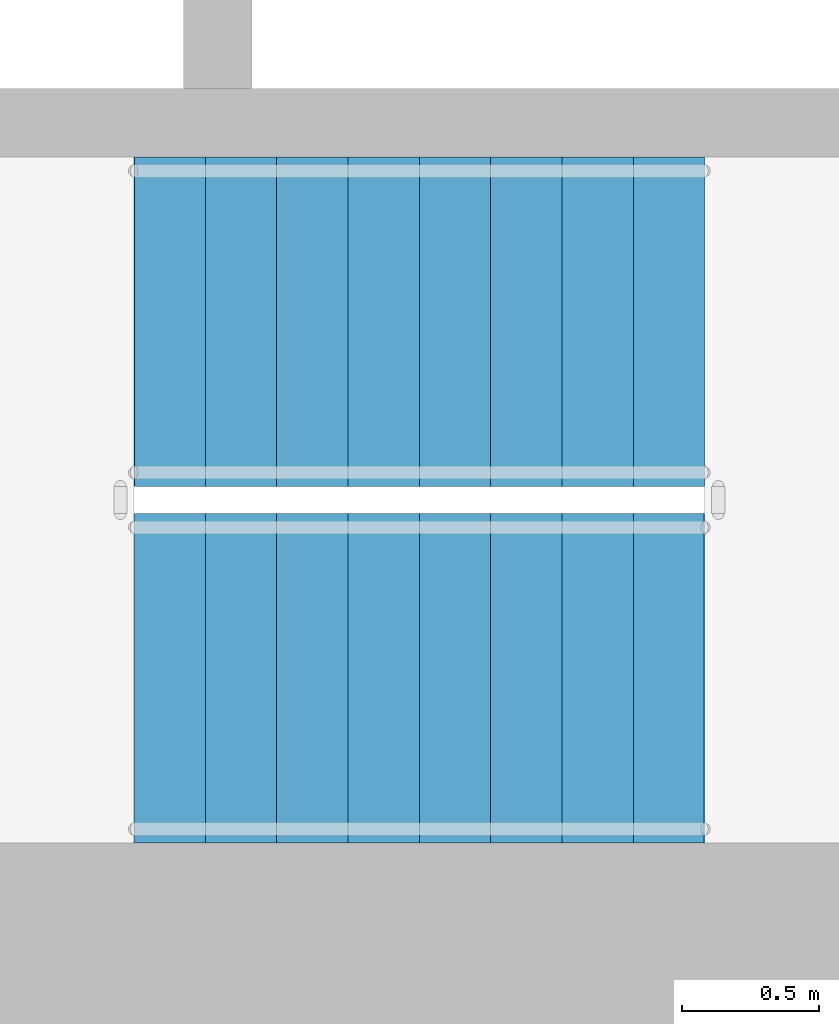
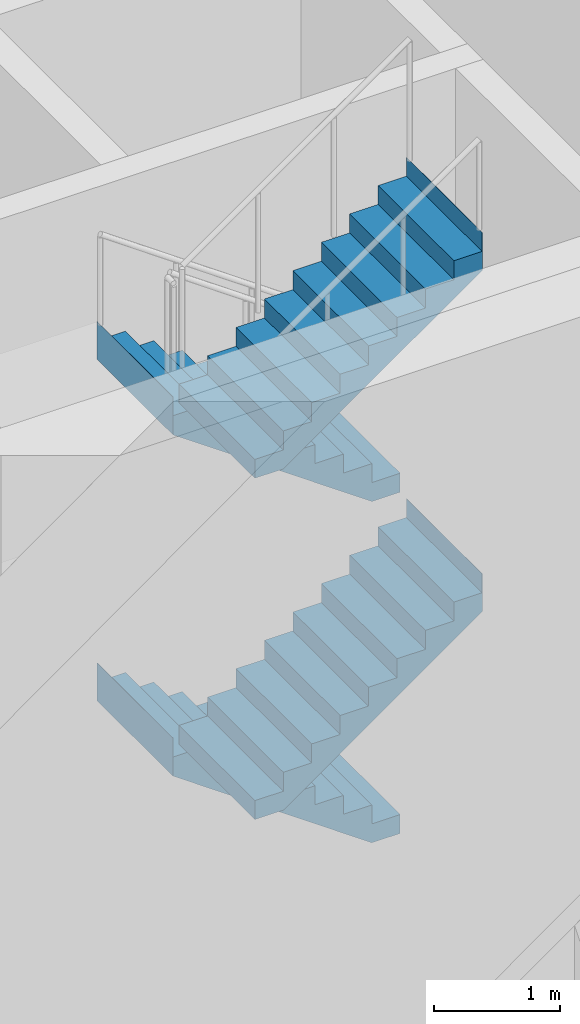
# One storey, part 29 of 33: 4 stair flights, 1 element without a shape of its own.
"""IFC4 building model written with IfcOpenShell, lengths in metres."""

import ifcopenshell
import ifcopenshell.guid

model = None  # the IFC model being written
_history = None  # IfcOwnerHistory: only IFC2X3 demands one
_inside = {}  # id of a spatial element -> (the spatial element, [elements in it])
_under = {}  # id of a project, library or spatial element -> (it, [spatial elements below it])
_declared = {}  # id of a project -> (the project, [libraries it declares])
_typed = {}  # id of a type object -> (the type object, [elements of that type])
_made_of = {}  # id of a material, layer set ... -> (it, [elements and type objects made of it])


def new_model(schema):
    """Start an empty IFC model of exactly this schema.

    Asked for "IFC4X3", IfcOpenShell would pick the latest addendum, in which some entities
    have other attributes; the version numbers below select the first issue.
    IFC2X3 requires an IfcOwnerHistory on every rooted entity: one is made here for all.
    """
    global model, _history
    if schema == "IFC4X3":
        model = ifcopenshell.file(schema_version=(4, 3, 0, 0))
    else:
        model = ifcopenshell.file(schema=schema)
    _inside.clear()
    _under.clear()
    _declared.clear()
    _typed.clear()
    _made_of.clear()
    _history = None
    if model.schema == "IFC2X3":
        org = make("IfcOrganization", Name="unknown")
        user = make(
            "IfcPersonAndOrganization",
            ThePerson=make("IfcPerson", FamilyName="unknown"),
            TheOrganization=org,
        )
        app = make(
            "IfcApplication",
            ApplicationDeveloper=org,
            Version="unknown",
            ApplicationFullName="unknown",
            ApplicationIdentifier="unknown",
        )
        _history = make(
            "IfcOwnerHistory",
            OwningUser=user,
            OwningApplication=app,
            ChangeAction="ADDED",
            CreationDate=0,
        )
    return model


def make(cls, **values):
    """One entity of the class cls with the attributes given. An attribute that is None is left unset."""
    return model.create_entity(
        cls, **{name: value for name, value in values.items() if value is not None}
    )


def rooted(cls, **values):
    """An entity with a GlobalId (a new one), such as an element, a storey or a relation."""
    return make(cls, GlobalId=ifcopenshell.guid.new(), OwnerHistory=_history, **values)


def si_unit(unit_type, name, prefix=None):
    """IfcSIUnit, for example si_unit("LENGTHUNIT", "METRE", prefix="MILLI")."""
    return make("IfcSIUnit", UnitType=unit_type, Prefix=prefix, Name=name)


def assignment(units):
    """IfcUnitAssignment: the units of a project."""
    return None if units is None else make("IfcUnitAssignment", Units=units)


def point(xyz):
    """IfcCartesianPoint."""
    return None if xyz is None else make("IfcCartesianPoint", Coordinates=xyz)


def direction(xyz):
    """IfcDirection."""
    return None if xyz is None else make("IfcDirection", DirectionRatios=xyz)


def frame(location, z_axis=None, x_axis=None):
    """IfcAxis2Placement3D, a coordinate frame: its origin and axes. An axis left out is left unset."""
    return make(
        "IfcAxis2Placement3D",
        Location=point(location),
        Axis=direction(z_axis),
        RefDirection=direction(x_axis),
    )


def origin():
    """The frame at (0, 0, 0) with its axes left unset."""
    return frame((0.0, 0.0, 0.0))


def place(relative_to, where):
    """IfcLocalPlacement: puts the frame where relative to a parent placement (None: the world)."""
    return make(
        "IfcLocalPlacement", PlacementRelTo=relative_to, RelativePlacement=where
    )


def context(
    kind, dimensions, precision=None, world=None, true_north=None, identifier=None
):
    """IfcGeometricRepresentationContext, for example the 3D "Model" context."""
    return make(
        "IfcGeometricRepresentationContext",
        ContextIdentifier=identifier,
        ContextType=kind,
        CoordinateSpaceDimension=dimensions,
        Precision=precision,
        WorldCoordinateSystem=world,
        TrueNorth=true_north,
    )


def subcontext(parent, identifier, kind, view, scale=None):
    """IfcGeometricRepresentationSubContext, for example "Body" below "Model"."""
    return make(
        "IfcGeometricRepresentationSubContext",
        ContextIdentifier=identifier,
        ContextType=kind,
        ParentContext=parent,
        TargetScale=scale,
        TargetView=view,
    )


def project(units=None, contexts=None):
    """IfcProject with its units and contexts."""
    return rooted(
        "IfcProject",
        Name="project",
        RepresentationContexts=contexts,
        UnitsInContext=assignment(units),
    )


def spatial(cls, under=None, at=None, **own):
    """A site, building, storey or space (cls), placed at a placement, below another one or the project."""
    s = rooted(cls, ObjectPlacement=at, **own)
    if under is not None:
        _under.setdefault(under.id(), (under, []))[1].append(s)
    return s


def point_list(points):
    """IfcCartesianPointList2D or 3D."""
    cls = (
        "IfcCartesianPointList2D" if len(points[0]) == 2 else "IfcCartesianPointList3D"
    )
    return make(cls, CoordList=points)


def triangles(points, corners, closed=None, point_numbers=None):
    """IfcTriangulatedFaceSet: each triangle names its three corners, points numbered from 1."""
    return make(
        "IfcTriangulatedFaceSet",
        Coordinates=point_list(points),
        Closed=closed,
        CoordIndex=corners,
        PnIndex=point_numbers,
    )


def shape(context_of_items, identifier, shape_type, items):
    """IfcShapeRepresentation: the items that make up one representation, for example the "Body"."""
    return make(
        "IfcShapeRepresentation",
        ContextOfItems=context_of_items,
        RepresentationIdentifier=identifier,
        RepresentationType=shape_type,
        Items=items,
    )


def material(Name=None, Category=None):
    """IfcMaterial."""
    return make("IfcMaterial", Name=Name, Category=Category)


def made_of(thing, what):
    """Note that an element or type object is made of a material, layer set ...; save() writes the relation."""
    if what is not None:
        _made_of.setdefault(what.id(), (what, []))[1].append(thing)
    return thing


def type_object(cls, material=None, **own):
    """A type object (cls), such as IfcWallType, which elements share."""
    return made_of(rooted(cls, **own), material)


def element(
    cls,
    number,
    at=None,
    inside=None,
    cuts=None,
    type_object=None,
    material=None,
    context=None,
    identifier="Body",
    shape_type=None,
    held_by="IfcProductDefinitionShape",
    body=None,
    shapes=None,
    **own,
):
    """One element of the class cls, such as IfcWall. Its Tag is "e" and its number.

    at: its placement. inside: the storey or other place that contains it. cuts: it is an
    opening in that element (IfcRelVoidsElement). A single representation is given by context,
    identifier, shape_type and body (its items); several are given by shapes. held_by: the class
    of the entity that holds the representations. save() writes the other relations.
    """
    e = rooted(cls, Tag="e%d" % number, ObjectPlacement=at, **own)
    if body is not None:
        shapes = [shape(context, identifier, shape_type, body)]
    if shapes is not None:
        e.Representation = make(held_by, Representations=shapes)
    if inside is not None:
        _inside.setdefault(inside.id(), (inside, []))[1].append(e)
    if cuts is not None:
        rooted(
            "IfcRelVoidsElement", RelatingBuildingElement=cuts, RelatedOpeningElement=e
        )
    if type_object is not None:
        _typed.setdefault(type_object.id(), (type_object, []))[1].append(e)
    return made_of(e, material)


def aggregate(whole, parts):
    """IfcRelAggregates: a whole, such as a stair, and the parts it consists of."""
    return rooted("IfcRelAggregates", RelatingObject=whole, RelatedObjects=parts)


def save(model, path):
    """Write the relations noted so far, then the file.

    IfcRelAggregates (storeys below a building ...), IfcRelContainedInSpatialStructure (elements
    in a storey), IfcRelDefinesByType, IfcRelAssociatesMaterial and IfcRelDeclares: one each for
    every whole, place, type object, material and project.
    """
    for whole, parts in _under.values():
        aggregate(whole, parts)
    for where, things in _inside.values():
        rooted(
            "IfcRelContainedInSpatialStructure",
            RelatedElements=things,
            RelatingStructure=where,
        )
    for kind, things in _typed.values():
        rooted("IfcRelDefinesByType", RelatedObjects=things, RelatingType=kind)
    for what, things in _made_of.values():
        rooted("IfcRelAssociatesMaterial", RelatedObjects=things, RelatingMaterial=what)
    for by, libraries in _declared.values():
        rooted("IfcRelDeclares", RelatingContext=by, RelatedDefinitions=libraries)
    model.write(path)


model = new_model("IFC4")

# Units and contexts
model_context = context("Model", 3, precision=1e-05, world=origin(), true_north=direction((0.0, 1.0)))
body_context = subcontext(model_context, "Body", "Model", "MODEL_VIEW")
ifc_project = project(units=[si_unit("LENGTHUNIT", "METRE"), si_unit("AREAUNIT", "SQUARE_METRE"), si_unit("VOLUMEUNIT", "CUBIC_METRE"), si_unit("PLANEANGLEUNIT", "RADIAN"), si_unit("MASSUNIT", "GRAM", prefix="KILO")], contexts=[model_context])

# Site, building, storey
site_placement = place(None, origin())
site = spatial("IfcSite", under=ifc_project, at=site_placement, CompositionType="ELEMENT")
building_placement = place(site_placement, origin())
building = spatial("IfcBuilding", under=site, at=building_placement, Name="Sahrelin Media Tower", CompositionType="ELEMENT")
storey_placement = place(building_placement, frame((0.0, 0.0, 37.39990234375)))
storey = spatial("IfcBuildingStorey", under=building, at=storey_placement, Name="L05", CompositionType="ELEMENT", Elevation=37.39990234375)

# Stair, stair flights
ifc_material = material(Name="Concrete C40/50", Category="concrete")
stair_type = type_object("IfcStairType", Name="Exit stair 1200", PredefinedType="HALF_TURN_STAIR", material=ifc_material)
stair_placement = place(storey_placement, origin())
stair = element("IfcStair", 1, at=stair_placement, inside=storey, type_object=stair_type, Name="L05 Exit stair ST2", PredefinedType="HALF_TURN_STAIR")
stair_flight_type = type_object("IfcStairFlightType", Name="Stair flight 1200", PredefinedType="STRAIGHT", material=ifc_material)
stair_flight_1_placement = place(storey_placement, frame((7.675048828125, -4.699951171875, 0.0), z_axis=(0.0, 0.0, 1.0), x_axis=(-1.0, 0.0, 0.0)))
stair_flight_1 = element("IfcStairFlight", 2, at=stair_flight_1_placement, type_object=stair_flight_type, Name="ST2 flight 1", NumberOfRisers=9, NumberOfTreads=8, PredefinedType="STRAIGHT", RiserHeight=0.183333333, TreadLength=0.26, context=body_context, shape_type="Tessellation", body=[
    triangles([(0.260009765625, 0.60009765625, 0.0), (0.260009765625, 0.300048828125, 0.0), (0.260009765625, 0.0, 0.0), (0.260009765625, -0.300048828125, 0.0), (0.260009765625, -0.60009765625, 0.0), (2.080078125, 0.60009765625, 1.283203125), (2.080078125, 0.300048828125, 1.283203125), (2.080078125, 0.0, 1.283203125), (2.080078125, -0.300048828125, 1.283203125), (2.080078125, -0.60009765625, 1.283203125), (2.080078125, 0.60009765625, 1.64990234375), (2.080078125, 0.300048828125, 1.64990234375), (2.080078125, 0.0, 1.64990234375), (2.080078125, -0.300048828125, 1.64990234375), (2.080078125, -0.60009765625, 1.64990234375), (2.077880859375, 0.60009765625, 1.64990234375), (2.077880859375, 0.300048828125, 1.64990234375), (2.077880859375, 0.0, 1.64990234375), (2.077880859375, -0.300048828125, 1.64990234375), (2.077880859375, -0.60009765625, 1.64990234375), (2.077880859375, 0.60009765625, 1.466552734375), (2.077880859375, 0.300048828125, 1.466552734375), (2.077880859375, 0.0, 1.466552734375), (2.077880859375, -0.300048828125, 1.466552734375), (2.077880859375, -0.60009765625, 1.466552734375), (1.820068359375, 0.60009765625, 1.466552734375), (1.820068359375, 0.300048828125, 1.466552734375), (1.820068359375, 0.0, 1.466552734375), (1.820068359375, -0.300048828125, 1.466552734375), (1.820068359375, -0.60009765625, 1.466552734375), (1.820068359375, 0.60009765625, 1.283447265625), (1.820068359375, 0.300048828125, 1.283447265625), (1.820068359375, 0.0, 1.283447265625), (1.820068359375, -0.300048828125, 1.283447265625), (1.820068359375, -0.60009765625, 1.283447265625), (1.56005859375, 0.60009765625, 1.283447265625), (1.56005859375, 0.300048828125, 1.283447265625), (1.56005859375, 0.0, 1.283447265625), (1.56005859375, -0.300048828125, 1.283447265625), (1.56005859375, -0.60009765625, 1.283447265625), (1.56005859375, 0.60009765625, 1.10009765625), (1.56005859375, 0.300048828125, 1.10009765625), (1.56005859375, 0.0, 1.10009765625), (1.56005859375, -0.300048828125, 1.10009765625), (1.56005859375, -0.60009765625, 1.10009765625), (1.300048828125, 0.60009765625, 1.10009765625), (1.300048828125, 0.300048828125, 1.10009765625), (1.300048828125, 0.0, 1.10009765625), (1.300048828125, -0.300048828125, 1.10009765625), (1.300048828125, -0.60009765625, 1.10009765625), (1.300048828125, 0.60009765625, 0.916748046875), (1.300048828125, 0.300048828125, 0.916748046875), (1.300048828125, 0.0, 0.916748046875), (1.300048828125, -0.300048828125, 0.916748046875), (1.300048828125, -0.60009765625, 0.916748046875), (1.0400390625, 0.60009765625, 0.916748046875), (1.0400390625, 0.300048828125, 0.916748046875), (1.0400390625, 0.0, 0.916748046875), (1.0400390625, -0.300048828125, 0.916748046875), (1.0400390625, -0.60009765625, 0.916748046875), (1.0400390625, 0.60009765625, 0.7333984375), (1.0400390625, 0.300048828125, 0.7333984375), (1.0400390625, 0.0, 0.7333984375), (1.0400390625, -0.300048828125, 0.7333984375), (1.0400390625, -0.60009765625, 0.7333984375), (0.780029296875, 0.60009765625, 0.7333984375), (0.780029296875, 0.300048828125, 0.7333984375), (0.780029296875, 0.0, 0.7333984375), (0.780029296875, -0.300048828125, 0.7333984375), (0.780029296875, -0.60009765625, 0.7333984375), (0.780029296875, 0.60009765625, 0.550048828125), (0.780029296875, 0.300048828125, 0.550048828125), (0.780029296875, 0.0, 0.550048828125), (0.780029296875, -0.300048828125, 0.550048828125), (0.780029296875, -0.60009765625, 0.550048828125), (0.52001953125, 0.60009765625, 0.550048828125), (0.52001953125, 0.300048828125, 0.550048828125), (0.52001953125, 0.0, 0.550048828125), (0.52001953125, -0.300048828125, 0.550048828125), (0.52001953125, -0.60009765625, 0.550048828125), (0.52001953125, 0.60009765625, 0.36669921875), (0.52001953125, 0.300048828125, 0.36669921875), (0.52001953125, 0.0, 0.36669921875), (0.52001953125, -0.300048828125, 0.36669921875), (0.52001953125, -0.60009765625, 0.36669921875), (0.260009765625, 0.60009765625, 0.36669921875), (0.260009765625, 0.300048828125, 0.36669921875), (0.260009765625, 0.0, 0.36669921875), (0.260009765625, -0.300048828125, 0.36669921875), (0.260009765625, -0.60009765625, 0.36669921875), (0.260009765625, 0.60009765625, 0.183349609375), (0.260009765625, 0.300048828125, 0.183349609375), (0.260009765625, 0.0, 0.183349609375), (0.260009765625, -0.300048828125, 0.183349609375), (0.260009765625, -0.60009765625, 0.183349609375), (0.0, 0.60009765625, 0.183349609375), (0.0, 0.300048828125, 0.183349609375), (0.0, 0.0, 0.183349609375), (0.0, -0.300048828125, 0.183349609375), (0.0, -0.60009765625, 0.183349609375), (0.0, 0.60009765625, 0.0), (0.0, 0.300048828125, 0.0), (0.0, 0.0, 0.0), (0.0, -0.300048828125, 0.0), (0.0, -0.60009765625, 0.0)], [[1, 6, 7], [1, 7, 2], [2, 7, 8], [2, 8, 3], [3, 8, 9], [3, 9, 4], [4, 9, 10], [4, 10, 5], [6, 11, 12], [6, 12, 7], [7, 12, 13], [7, 13, 8], [8, 13, 14], [8, 14, 9], [9, 14, 15], [9, 15, 10], [11, 16, 17], [11, 17, 12], [12, 17, 18], [12, 18, 13], [13, 18, 19], [13, 19, 14], [14, 19, 20], [14, 20, 15], [16, 21, 22], [16, 22, 17], [17, 22, 23], [17, 23, 18], [18, 23, 24], [18, 24, 19], [19, 24, 25], [19, 25, 20], [21, 26, 27], [21, 27, 22], [22, 27, 28], [22, 28, 23], [23, 28, 29], [23, 29, 24], [24, 29, 30], [24, 30, 25], [26, 31, 32], [26, 32, 27], [27, 32, 33], [27, 33, 28], [28, 33, 34], [28, 34, 29], [29, 34, 35], [29, 35, 30], [31, 36, 37], [31, 37, 32], [32, 37, 38], [32, 38, 33], [33, 38, 39], [33, 39, 34], [34, 39, 40], [34, 40, 35], [36, 41, 42], [36, 42, 37], [37, 42, 43], [37, 43, 38], [38, 43, 44], [38, 44, 39], [39, 44, 45], [39, 45, 40], [41, 46, 47], [41, 47, 42], [42, 47, 48], [42, 48, 43], [43, 48, 49], [43, 49, 44], [44, 49, 50], [44, 50, 45], [46, 51, 52], [46, 52, 47], [47, 52, 53], [47, 53, 48], [48, 53, 54], [48, 54, 49], [49, 54, 55], [49, 55, 50], [51, 56, 57], [51, 57, 52], [52, 57, 58], [52, 58, 53], [53, 58, 59], [53, 59, 54], [54, 59, 60], [54, 60, 55], [56, 61, 62], [56, 62, 57], [57, 62, 63], [57, 63, 58], [58, 63, 64], [58, 64, 59], [59, 64, 65], [59, 65, 60], [61, 66, 67], [61, 67, 62], [62, 67, 68], [62, 68, 63], [63, 68, 69], [63, 69, 64], [64, 69, 70], [64, 70, 65], [66, 71, 72], [66, 72, 67], [67, 72, 73], [67, 73, 68], [68, 73, 74], [68, 74, 69], [69, 74, 75], [69, 75, 70], [71, 76, 77], [71, 77, 72], [72, 77, 78], [72, 78, 73], [73, 78, 79], [73, 79, 74], [74, 79, 80], [74, 80, 75], [76, 81, 82], [76, 82, 77], [77, 82, 83], [77, 83, 78], [78, 83, 84], [78, 84, 79], [79, 84, 85], [79, 85, 80], [81, 86, 87], [81, 87, 82], [82, 87, 88], [82, 88, 83], [83, 88, 89], [83, 89, 84], [84, 89, 90], [84, 90, 85], [86, 91, 92], [86, 92, 87], [87, 92, 93], [87, 93, 88], [88, 93, 94], [88, 94, 89], [89, 94, 95], [89, 95, 90], [91, 96, 97], [91, 97, 92], [92, 97, 98], [92, 98, 93], [93, 98, 99], [93, 99, 94], [94, 99, 100], [94, 100, 95], [96, 101, 102], [96, 102, 97], [97, 102, 103], [97, 103, 98], [98, 103, 104], [98, 104, 99], [99, 104, 105], [99, 105, 100], [101, 1, 2], [101, 2, 102], [102, 2, 3], [102, 3, 103], [103, 3, 4], [103, 4, 104], [104, 4, 5], [104, 5, 105], [95, 100, 105], [91, 101, 96], [95, 85, 90], [91, 86, 81], [85, 75, 80], [81, 76, 71], [75, 65, 70], [71, 66, 61], [65, 55, 60], [61, 56, 51], [55, 45, 50], [51, 46, 41], [45, 35, 40], [41, 36, 31], [35, 25, 30], [31, 26, 21], [25, 15, 20], [21, 16, 11], [105, 5, 95], [101, 91, 1], [25, 10, 15], [21, 11, 6], [85, 95, 5], [81, 1, 91], [35, 10, 25], [31, 21, 6], [75, 85, 5], [71, 1, 81], [45, 10, 35], [41, 31, 6], [65, 75, 5], [61, 1, 71], [55, 10, 45], [51, 41, 6], [5, 10, 65], [1, 61, 6], [65, 10, 55], [61, 51, 6]], closed=True),
])
stair_flight_2_placement = place(storey_placement, frame((5.594970703125, -6.0, 1.650146484375), z_axis=(0.0, 0.0, 1.0), x_axis=(1.0, 0.0, 0.0)))
stair_flight_2 = element("IfcStairFlight", 3, at=stair_flight_2_placement, type_object=stair_flight_type, Name="ST2 flight 2", NumberOfRisers=9, NumberOfTreads=8, PredefinedType="STRAIGHT", RiserHeight=0.183333333, TreadLength=0.26, context=body_context, shape_type="Tessellation", body=[
    triangles([(0.260009765625, 0.60009765625, 0.0), (0.260009765625, 0.300048828125, 0.0), (0.260009765625, 0.0, 0.0), (0.260009765625, -0.300048828125, 0.0), (0.260009765625, -0.60009765625, 0.0), (2.080078125, 0.60009765625, 1.283203125), (2.080078125, 0.300048828125, 1.283203125), (2.080078125, 0.0, 1.283203125), (2.080078125, -0.300048828125, 1.283203125), (2.080078125, -0.60009765625, 1.283203125), (2.080078125, 0.60009765625, 1.64990234375), (2.080078125, 0.300048828125, 1.64990234375), (2.080078125, 0.0, 1.64990234375), (2.080078125, -0.300048828125, 1.64990234375), (2.080078125, -0.60009765625, 1.64990234375), (2.077880859375, 0.60009765625, 1.64990234375), (2.077880859375, 0.300048828125, 1.64990234375), (2.077880859375, 0.0, 1.64990234375), (2.077880859375, -0.300048828125, 1.64990234375), (2.077880859375, -0.60009765625, 1.64990234375), (2.077880859375, 0.60009765625, 1.466552734375), (2.077880859375, 0.300048828125, 1.466552734375), (2.077880859375, 0.0, 1.466552734375), (2.077880859375, -0.300048828125, 1.466552734375), (2.077880859375, -0.60009765625, 1.466552734375), (1.820068359375, 0.60009765625, 1.466552734375), (1.820068359375, 0.300048828125, 1.466552734375), (1.820068359375, 0.0, 1.466552734375), (1.820068359375, -0.300048828125, 1.466552734375), (1.820068359375, -0.60009765625, 1.466552734375), (1.820068359375, 0.60009765625, 1.283447265625), (1.820068359375, 0.300048828125, 1.283447265625), (1.820068359375, 0.0, 1.283447265625), (1.820068359375, -0.300048828125, 1.283447265625), (1.820068359375, -0.60009765625, 1.283447265625), (1.56005859375, 0.60009765625, 1.283447265625), (1.56005859375, 0.300048828125, 1.283447265625), (1.56005859375, 0.0, 1.283447265625), (1.56005859375, -0.300048828125, 1.283447265625), (1.56005859375, -0.60009765625, 1.283447265625), (1.56005859375, 0.60009765625, 1.10009765625), (1.56005859375, 0.300048828125, 1.10009765625), (1.56005859375, 0.0, 1.10009765625), (1.56005859375, -0.300048828125, 1.10009765625), (1.56005859375, -0.60009765625, 1.10009765625), (1.300048828125, 0.60009765625, 1.10009765625), (1.300048828125, 0.300048828125, 1.10009765625), (1.300048828125, 0.0, 1.10009765625), (1.300048828125, -0.300048828125, 1.10009765625), (1.300048828125, -0.60009765625, 1.10009765625), (1.300048828125, 0.60009765625, 0.916748046875), (1.300048828125, 0.300048828125, 0.916748046875), (1.300048828125, 0.0, 0.916748046875), (1.300048828125, -0.300048828125, 0.916748046875), (1.300048828125, -0.60009765625, 0.916748046875), (1.0400390625, 0.60009765625, 0.916748046875), (1.0400390625, 0.300048828125, 0.916748046875), (1.0400390625, 0.0, 0.916748046875), (1.0400390625, -0.300048828125, 0.916748046875), (1.0400390625, -0.60009765625, 0.916748046875), (1.0400390625, 0.60009765625, 0.7333984375), (1.0400390625, 0.300048828125, 0.7333984375), (1.0400390625, 0.0, 0.7333984375), (1.0400390625, -0.300048828125, 0.7333984375), (1.0400390625, -0.60009765625, 0.7333984375), (0.780029296875, 0.60009765625, 0.7333984375), (0.780029296875, 0.300048828125, 0.7333984375), (0.780029296875, 0.0, 0.7333984375), (0.780029296875, -0.300048828125, 0.7333984375), (0.780029296875, -0.60009765625, 0.7333984375), (0.780029296875, 0.60009765625, 0.550048828125), (0.780029296875, 0.300048828125, 0.550048828125), (0.780029296875, 0.0, 0.550048828125), (0.780029296875, -0.300048828125, 0.550048828125), (0.780029296875, -0.60009765625, 0.550048828125), (0.52001953125, 0.60009765625, 0.550048828125), (0.52001953125, 0.300048828125, 0.550048828125), (0.52001953125, 0.0, 0.550048828125), (0.52001953125, -0.300048828125, 0.550048828125), (0.52001953125, -0.60009765625, 0.550048828125), (0.52001953125, 0.60009765625, 0.36669921875), (0.52001953125, 0.300048828125, 0.36669921875), (0.52001953125, 0.0, 0.36669921875), (0.52001953125, -0.300048828125, 0.36669921875), (0.52001953125, -0.60009765625, 0.36669921875), (0.260009765625, 0.60009765625, 0.36669921875), (0.260009765625, 0.300048828125, 0.36669921875), (0.260009765625, 0.0, 0.36669921875), (0.260009765625, -0.300048828125, 0.36669921875), (0.260009765625, -0.60009765625, 0.36669921875), (0.260009765625, 0.60009765625, 0.183349609375), (0.260009765625, 0.300048828125, 0.183349609375), (0.260009765625, 0.0, 0.183349609375), (0.260009765625, -0.300048828125, 0.183349609375), (0.260009765625, -0.60009765625, 0.183349609375), (0.0, 0.60009765625, 0.183349609375), (0.0, 0.300048828125, 0.183349609375), (0.0, 0.0, 0.183349609375), (0.0, -0.300048828125, 0.183349609375), (0.0, -0.60009765625, 0.183349609375), (0.0, 0.60009765625, 0.0), (0.0, 0.300048828125, 0.0), (0.0, 0.0, 0.0), (0.0, -0.300048828125, 0.0), (0.0, -0.60009765625, 0.0)], [[1, 6, 7], [1, 7, 2], [2, 7, 8], [2, 8, 3], [3, 8, 9], [3, 9, 4], [4, 9, 10], [4, 10, 5], [6, 11, 12], [6, 12, 7], [7, 12, 13], [7, 13, 8], [8, 13, 14], [8, 14, 9], [9, 14, 15], [9, 15, 10], [11, 16, 17], [11, 17, 12], [12, 17, 18], [12, 18, 13], [13, 18, 19], [13, 19, 14], [14, 19, 20], [14, 20, 15], [16, 21, 22], [16, 22, 17], [17, 22, 23], [17, 23, 18], [18, 23, 24], [18, 24, 19], [19, 24, 25], [19, 25, 20], [21, 26, 27], [21, 27, 22], [22, 27, 28], [22, 28, 23], [23, 28, 29], [23, 29, 24], [24, 29, 30], [24, 30, 25], [26, 31, 32], [26, 32, 27], [27, 32, 33], [27, 33, 28], [28, 33, 34], [28, 34, 29], [29, 34, 35], [29, 35, 30], [31, 36, 37], [31, 37, 32], [32, 37, 38], [32, 38, 33], [33, 38, 39], [33, 39, 34], [34, 39, 40], [34, 40, 35], [36, 41, 42], [36, 42, 37], [37, 42, 43], [37, 43, 38], [38, 43, 44], [38, 44, 39], [39, 44, 45], [39, 45, 40], [41, 46, 47], [41, 47, 42], [42, 47, 48], [42, 48, 43], [43, 48, 49], [43, 49, 44], [44, 49, 50], [44, 50, 45], [46, 51, 52], [46, 52, 47], [47, 52, 53], [47, 53, 48], [48, 53, 54], [48, 54, 49], [49, 54, 55], [49, 55, 50], [51, 56, 57], [51, 57, 52], [52, 57, 58], [52, 58, 53], [53, 58, 59], [53, 59, 54], [54, 59, 60], [54, 60, 55], [56, 61, 62], [56, 62, 57], [57, 62, 63], [57, 63, 58], [58, 63, 64], [58, 64, 59], [59, 64, 65], [59, 65, 60], [61, 66, 67], [61, 67, 62], [62, 67, 68], [62, 68, 63], [63, 68, 69], [63, 69, 64], [64, 69, 70], [64, 70, 65], [66, 71, 72], [66, 72, 67], [67, 72, 73], [67, 73, 68], [68, 73, 74], [68, 74, 69], [69, 74, 75], [69, 75, 70], [71, 76, 77], [71, 77, 72], [72, 77, 78], [72, 78, 73], [73, 78, 79], [73, 79, 74], [74, 79, 80], [74, 80, 75], [76, 81, 82], [76, 82, 77], [77, 82, 83], [77, 83, 78], [78, 83, 84], [78, 84, 79], [79, 84, 85], [79, 85, 80], [81, 86, 87], [81, 87, 82], [82, 87, 88], [82, 88, 83], [83, 88, 89], [83, 89, 84], [84, 89, 90], [84, 90, 85], [86, 91, 92], [86, 92, 87], [87, 92, 93], [87, 93, 88], [88, 93, 94], [88, 94, 89], [89, 94, 95], [89, 95, 90], [91, 96, 97], [91, 97, 92], [92, 97, 98], [92, 98, 93], [93, 98, 99], [93, 99, 94], [94, 99, 100], [94, 100, 95], [96, 101, 102], [96, 102, 97], [97, 102, 103], [97, 103, 98], [98, 103, 104], [98, 104, 99], [99, 104, 105], [99, 105, 100], [101, 1, 2], [101, 2, 102], [102, 2, 3], [102, 3, 103], [103, 3, 4], [103, 4, 104], [104, 4, 5], [104, 5, 105], [95, 100, 105], [91, 101, 96], [95, 85, 90], [91, 86, 81], [85, 75, 80], [81, 76, 71], [75, 65, 70], [71, 66, 61], [65, 55, 60], [61, 56, 51], [55, 45, 50], [51, 46, 41], [45, 35, 40], [41, 36, 31], [35, 25, 30], [31, 26, 21], [25, 15, 20], [21, 16, 11], [105, 5, 95], [101, 91, 1], [25, 10, 15], [21, 11, 6], [85, 95, 5], [81, 1, 91], [35, 10, 25], [31, 21, 6], [75, 85, 5], [71, 1, 81], [45, 10, 35], [41, 31, 6], [65, 75, 5], [61, 1, 71], [55, 10, 45], [51, 41, 6], [5, 10, 65], [1, 61, 6], [65, 10, 55], [61, 51, 6]], closed=True),
])
stair_flight_3_placement = place(storey_placement, frame((7.675048828125, -4.699951171875, 3.300048828125), z_axis=(0.0, 0.0, 1.0), x_axis=(-1.0, 0.0, 0.0)))
stair_flight_3 = element("IfcStairFlight", 4, at=stair_flight_3_placement, type_object=stair_flight_type, Name="ST2 flight 3", NumberOfRisers=9, NumberOfTreads=8, PredefinedType="STRAIGHT", RiserHeight=0.183333333, TreadLength=0.26, context=body_context, shape_type="Tessellation", body=[
    triangles([(0.260009765625, 0.60009765625, 0.0), (0.260009765625, 0.300048828125, 0.0), (0.260009765625, 0.0, 0.0), (0.260009765625, -0.300048828125, 0.0), (0.260009765625, -0.60009765625, 0.0), (2.080078125, 0.60009765625, 1.283203125), (2.080078125, 0.300048828125, 1.283203125), (2.080078125, 0.0, 1.283203125), (2.080078125, -0.300048828125, 1.283203125), (2.080078125, -0.60009765625, 1.283203125), (2.080078125, 0.60009765625, 1.64990234375), (2.080078125, 0.300048828125, 1.64990234375), (2.080078125, 0.0, 1.64990234375), (2.080078125, -0.300048828125, 1.64990234375), (2.080078125, -0.60009765625, 1.64990234375), (2.077880859375, 0.60009765625, 1.64990234375), (2.077880859375, 0.300048828125, 1.64990234375), (2.077880859375, 0.0, 1.64990234375), (2.077880859375, -0.300048828125, 1.64990234375), (2.077880859375, -0.60009765625, 1.64990234375), (2.077880859375, 0.60009765625, 1.466552734375), (2.077880859375, 0.300048828125, 1.466552734375), (2.077880859375, 0.0, 1.466552734375), (2.077880859375, -0.300048828125, 1.466552734375), (2.077880859375, -0.60009765625, 1.466552734375), (1.820068359375, 0.60009765625, 1.466552734375), (1.820068359375, 0.300048828125, 1.466552734375), (1.820068359375, 0.0, 1.466552734375), (1.820068359375, -0.300048828125, 1.466552734375), (1.820068359375, -0.60009765625, 1.466552734375), (1.820068359375, 0.60009765625, 1.283447265625), (1.820068359375, 0.300048828125, 1.283447265625), (1.820068359375, 0.0, 1.283447265625), (1.820068359375, -0.300048828125, 1.283447265625), (1.820068359375, -0.60009765625, 1.283447265625), (1.56005859375, 0.60009765625, 1.283447265625), (1.56005859375, 0.300048828125, 1.283447265625), (1.56005859375, 0.0, 1.283447265625), (1.56005859375, -0.300048828125, 1.283447265625), (1.56005859375, -0.60009765625, 1.283447265625), (1.56005859375, 0.60009765625, 1.10009765625), (1.56005859375, 0.300048828125, 1.10009765625), (1.56005859375, 0.0, 1.10009765625), (1.56005859375, -0.300048828125, 1.10009765625), (1.56005859375, -0.60009765625, 1.10009765625), (1.300048828125, 0.60009765625, 1.10009765625), (1.300048828125, 0.300048828125, 1.10009765625), (1.300048828125, 0.0, 1.10009765625), (1.300048828125, -0.300048828125, 1.10009765625), (1.300048828125, -0.60009765625, 1.10009765625), (1.300048828125, 0.60009765625, 0.916748046875), (1.300048828125, 0.300048828125, 0.916748046875), (1.300048828125, 0.0, 0.916748046875), (1.300048828125, -0.300048828125, 0.916748046875), (1.300048828125, -0.60009765625, 0.916748046875), (1.0400390625, 0.60009765625, 0.916748046875), (1.0400390625, 0.300048828125, 0.916748046875), (1.0400390625, 0.0, 0.916748046875), (1.0400390625, -0.300048828125, 0.916748046875), (1.0400390625, -0.60009765625, 0.916748046875), (1.0400390625, 0.60009765625, 0.7333984375), (1.0400390625, 0.300048828125, 0.7333984375), (1.0400390625, 0.0, 0.7333984375), (1.0400390625, -0.300048828125, 0.7333984375), (1.0400390625, -0.60009765625, 0.7333984375), (0.780029296875, 0.60009765625, 0.7333984375), (0.780029296875, 0.300048828125, 0.7333984375), (0.780029296875, 0.0, 0.7333984375), (0.780029296875, -0.300048828125, 0.7333984375), (0.780029296875, -0.60009765625, 0.7333984375), (0.780029296875, 0.60009765625, 0.550048828125), (0.780029296875, 0.300048828125, 0.550048828125), (0.780029296875, 0.0, 0.550048828125), (0.780029296875, -0.300048828125, 0.550048828125), (0.780029296875, -0.60009765625, 0.550048828125), (0.52001953125, 0.60009765625, 0.550048828125), (0.52001953125, 0.300048828125, 0.550048828125), (0.52001953125, 0.0, 0.550048828125), (0.52001953125, -0.300048828125, 0.550048828125), (0.52001953125, -0.60009765625, 0.550048828125), (0.52001953125, 0.60009765625, 0.36669921875), (0.52001953125, 0.300048828125, 0.36669921875), (0.52001953125, 0.0, 0.36669921875), (0.52001953125, -0.300048828125, 0.36669921875), (0.52001953125, -0.60009765625, 0.36669921875), (0.260009765625, 0.60009765625, 0.36669921875), (0.260009765625, 0.300048828125, 0.36669921875), (0.260009765625, 0.0, 0.36669921875), (0.260009765625, -0.300048828125, 0.36669921875), (0.260009765625, -0.60009765625, 0.36669921875), (0.260009765625, 0.60009765625, 0.183349609375), (0.260009765625, 0.300048828125, 0.183349609375), (0.260009765625, 0.0, 0.183349609375), (0.260009765625, -0.300048828125, 0.183349609375), (0.260009765625, -0.60009765625, 0.183349609375), (0.0, 0.60009765625, 0.183349609375), (0.0, 0.300048828125, 0.183349609375), (0.0, 0.0, 0.183349609375), (0.0, -0.300048828125, 0.183349609375), (0.0, -0.60009765625, 0.183349609375), (0.0, 0.60009765625, 0.0), (0.0, 0.300048828125, 0.0), (0.0, 0.0, 0.0), (0.0, -0.300048828125, 0.0), (0.0, -0.60009765625, 0.0)], [[1, 6, 7], [1, 7, 2], [2, 7, 8], [2, 8, 3], [3, 8, 9], [3, 9, 4], [4, 9, 10], [4, 10, 5], [6, 11, 12], [6, 12, 7], [7, 12, 13], [7, 13, 8], [8, 13, 14], [8, 14, 9], [9, 14, 15], [9, 15, 10], [11, 16, 17], [11, 17, 12], [12, 17, 18], [12, 18, 13], [13, 18, 19], [13, 19, 14], [14, 19, 20], [14, 20, 15], [16, 21, 22], [16, 22, 17], [17, 22, 23], [17, 23, 18], [18, 23, 24], [18, 24, 19], [19, 24, 25], [19, 25, 20], [21, 26, 27], [21, 27, 22], [22, 27, 28], [22, 28, 23], [23, 28, 29], [23, 29, 24], [24, 29, 30], [24, 30, 25], [26, 31, 32], [26, 32, 27], [27, 32, 33], [27, 33, 28], [28, 33, 34], [28, 34, 29], [29, 34, 35], [29, 35, 30], [31, 36, 37], [31, 37, 32], [32, 37, 38], [32, 38, 33], [33, 38, 39], [33, 39, 34], [34, 39, 40], [34, 40, 35], [36, 41, 42], [36, 42, 37], [37, 42, 43], [37, 43, 38], [38, 43, 44], [38, 44, 39], [39, 44, 45], [39, 45, 40], [41, 46, 47], [41, 47, 42], [42, 47, 48], [42, 48, 43], [43, 48, 49], [43, 49, 44], [44, 49, 50], [44, 50, 45], [46, 51, 52], [46, 52, 47], [47, 52, 53], [47, 53, 48], [48, 53, 54], [48, 54, 49], [49, 54, 55], [49, 55, 50], [51, 56, 57], [51, 57, 52], [52, 57, 58], [52, 58, 53], [53, 58, 59], [53, 59, 54], [54, 59, 60], [54, 60, 55], [56, 61, 62], [56, 62, 57], [57, 62, 63], [57, 63, 58], [58, 63, 64], [58, 64, 59], [59, 64, 65], [59, 65, 60], [61, 66, 67], [61, 67, 62], [62, 67, 68], [62, 68, 63], [63, 68, 69], [63, 69, 64], [64, 69, 70], [64, 70, 65], [66, 71, 72], [66, 72, 67], [67, 72, 73], [67, 73, 68], [68, 73, 74], [68, 74, 69], [69, 74, 75], [69, 75, 70], [71, 76, 77], [71, 77, 72], [72, 77, 78], [72, 78, 73], [73, 78, 79], [73, 79, 74], [74, 79, 80], [74, 80, 75], [76, 81, 82], [76, 82, 77], [77, 82, 83], [77, 83, 78], [78, 83, 84], [78, 84, 79], [79, 84, 85], [79, 85, 80], [81, 86, 87], [81, 87, 82], [82, 87, 88], [82, 88, 83], [83, 88, 89], [83, 89, 84], [84, 89, 90], [84, 90, 85], [86, 91, 92], [86, 92, 87], [87, 92, 93], [87, 93, 88], [88, 93, 94], [88, 94, 89], [89, 94, 95], [89, 95, 90], [91, 96, 97], [91, 97, 92], [92, 97, 98], [92, 98, 93], [93, 98, 99], [93, 99, 94], [94, 99, 100], [94, 100, 95], [96, 101, 102], [96, 102, 97], [97, 102, 103], [97, 103, 98], [98, 103, 104], [98, 104, 99], [99, 104, 105], [99, 105, 100], [101, 1, 2], [101, 2, 102], [102, 2, 3], [102, 3, 103], [103, 3, 4], [103, 4, 104], [104, 4, 5], [104, 5, 105], [95, 100, 105], [91, 101, 96], [95, 85, 90], [91, 86, 81], [85, 75, 80], [81, 76, 71], [75, 65, 70], [71, 66, 61], [65, 55, 60], [61, 56, 51], [55, 45, 50], [51, 46, 41], [45, 35, 40], [41, 36, 31], [35, 25, 30], [31, 26, 21], [25, 15, 20], [21, 16, 11], [105, 5, 95], [101, 91, 1], [25, 10, 15], [21, 11, 6], [85, 95, 5], [81, 1, 91], [35, 10, 25], [31, 21, 6], [75, 85, 5], [71, 1, 81], [45, 10, 35], [41, 31, 6], [65, 75, 5], [61, 1, 71], [55, 10, 45], [51, 41, 6], [5, 10, 65], [1, 61, 6], [65, 10, 55], [61, 51, 6]], closed=True),
])
stair_flight_4_placement = place(storey_placement, frame((5.594970703125, -6.0, 4.9501953125), z_axis=(0.0, 0.0, 1.0), x_axis=(1.0, 0.0, 0.0)))
stair_flight_4 = element("IfcStairFlight", 5, at=stair_flight_4_placement, type_object=stair_flight_type, Name="ST2 flight 4", NumberOfRisers=9, NumberOfTreads=8, PredefinedType="STRAIGHT", RiserHeight=0.183333333, TreadLength=0.26, context=body_context, shape_type="Tessellation", body=[
    triangles([(0.260009765625, 0.60009765625, 0.0), (0.260009765625, 0.300048828125, 0.0), (0.260009765625, 0.0, 0.0), (0.260009765625, -0.300048828125, 0.0), (0.260009765625, -0.60009765625, 0.0), (2.080078125, 0.60009765625, 1.283203125), (2.080078125, 0.300048828125, 1.283203125), (2.080078125, 0.0, 1.283203125), (2.080078125, -0.300048828125, 1.283203125), (2.080078125, -0.60009765625, 1.283203125), (2.080078125, 0.60009765625, 1.64990234375), (2.080078125, 0.300048828125, 1.64990234375), (2.080078125, 0.0, 1.64990234375), (2.080078125, -0.300048828125, 1.64990234375), (2.080078125, -0.60009765625, 1.64990234375), (2.077880859375, 0.60009765625, 1.64990234375), (2.077880859375, 0.300048828125, 1.64990234375), (2.077880859375, 0.0, 1.64990234375), (2.077880859375, -0.300048828125, 1.64990234375), (2.077880859375, -0.60009765625, 1.64990234375), (2.077880859375, 0.60009765625, 1.466552734375), (2.077880859375, 0.300048828125, 1.466552734375), (2.077880859375, 0.0, 1.466552734375), (2.077880859375, -0.300048828125, 1.466552734375), (2.077880859375, -0.60009765625, 1.466552734375), (1.820068359375, 0.60009765625, 1.466552734375), (1.820068359375, 0.300048828125, 1.466552734375), (1.820068359375, 0.0, 1.466552734375), (1.820068359375, -0.300048828125, 1.466552734375), (1.820068359375, -0.60009765625, 1.466552734375), (1.820068359375, 0.60009765625, 1.283447265625), (1.820068359375, 0.300048828125, 1.283447265625), (1.820068359375, 0.0, 1.283447265625), (1.820068359375, -0.300048828125, 1.283447265625), (1.820068359375, -0.60009765625, 1.283447265625), (1.56005859375, 0.60009765625, 1.283447265625), (1.56005859375, 0.300048828125, 1.283447265625), (1.56005859375, 0.0, 1.283447265625), (1.56005859375, -0.300048828125, 1.283447265625), (1.56005859375, -0.60009765625, 1.283447265625), (1.56005859375, 0.60009765625, 1.10009765625), (1.56005859375, 0.300048828125, 1.10009765625), (1.56005859375, 0.0, 1.10009765625), (1.56005859375, -0.300048828125, 1.10009765625), (1.56005859375, -0.60009765625, 1.10009765625), (1.300048828125, 0.60009765625, 1.10009765625), (1.300048828125, 0.300048828125, 1.10009765625), (1.300048828125, 0.0, 1.10009765625), (1.300048828125, -0.300048828125, 1.10009765625), (1.300048828125, -0.60009765625, 1.10009765625), (1.300048828125, 0.60009765625, 0.916748046875), (1.300048828125, 0.300048828125, 0.916748046875), (1.300048828125, 0.0, 0.916748046875), (1.300048828125, -0.300048828125, 0.916748046875), (1.300048828125, -0.60009765625, 0.916748046875), (1.0400390625, 0.60009765625, 0.916748046875), (1.0400390625, 0.300048828125, 0.916748046875), (1.0400390625, 0.0, 0.916748046875), (1.0400390625, -0.300048828125, 0.916748046875), (1.0400390625, -0.60009765625, 0.916748046875), (1.0400390625, 0.60009765625, 0.7333984375), (1.0400390625, 0.300048828125, 0.7333984375), (1.0400390625, 0.0, 0.7333984375), (1.0400390625, -0.300048828125, 0.7333984375), (1.0400390625, -0.60009765625, 0.7333984375), (0.780029296875, 0.60009765625, 0.7333984375), (0.780029296875, 0.300048828125, 0.7333984375), (0.780029296875, 0.0, 0.7333984375), (0.780029296875, -0.300048828125, 0.7333984375), (0.780029296875, -0.60009765625, 0.7333984375), (0.780029296875, 0.60009765625, 0.550048828125), (0.780029296875, 0.300048828125, 0.550048828125), (0.780029296875, 0.0, 0.550048828125), (0.780029296875, -0.300048828125, 0.550048828125), (0.780029296875, -0.60009765625, 0.550048828125), (0.52001953125, 0.60009765625, 0.550048828125), (0.52001953125, 0.300048828125, 0.550048828125), (0.52001953125, 0.0, 0.550048828125), (0.52001953125, -0.300048828125, 0.550048828125), (0.52001953125, -0.60009765625, 0.550048828125), (0.52001953125, 0.60009765625, 0.36669921875), (0.52001953125, 0.300048828125, 0.36669921875), (0.52001953125, 0.0, 0.36669921875), (0.52001953125, -0.300048828125, 0.36669921875), (0.52001953125, -0.60009765625, 0.36669921875), (0.260009765625, 0.60009765625, 0.36669921875), (0.260009765625, 0.300048828125, 0.36669921875), (0.260009765625, 0.0, 0.36669921875), (0.260009765625, -0.300048828125, 0.36669921875), (0.260009765625, -0.60009765625, 0.36669921875), (0.260009765625, 0.60009765625, 0.183349609375), (0.260009765625, 0.300048828125, 0.183349609375), (0.260009765625, 0.0, 0.183349609375), (0.260009765625, -0.300048828125, 0.183349609375), (0.260009765625, -0.60009765625, 0.183349609375), (0.0, 0.60009765625, 0.183349609375), (0.0, 0.300048828125, 0.183349609375), (0.0, 0.0, 0.183349609375), (0.0, -0.300048828125, 0.183349609375), (0.0, -0.60009765625, 0.183349609375), (0.0, 0.60009765625, 0.0), (0.0, 0.300048828125, 0.0), (0.0, 0.0, 0.0), (0.0, -0.300048828125, 0.0), (0.0, -0.60009765625, 0.0)], [[1, 6, 7], [1, 7, 2], [2, 7, 8], [2, 8, 3], [3, 8, 9], [3, 9, 4], [4, 9, 10], [4, 10, 5], [6, 11, 12], [6, 12, 7], [7, 12, 13], [7, 13, 8], [8, 13, 14], [8, 14, 9], [9, 14, 15], [9, 15, 10], [11, 16, 17], [11, 17, 12], [12, 17, 18], [12, 18, 13], [13, 18, 19], [13, 19, 14], [14, 19, 20], [14, 20, 15], [16, 21, 22], [16, 22, 17], [17, 22, 23], [17, 23, 18], [18, 23, 24], [18, 24, 19], [19, 24, 25], [19, 25, 20], [21, 26, 27], [21, 27, 22], [22, 27, 28], [22, 28, 23], [23, 28, 29], [23, 29, 24], [24, 29, 30], [24, 30, 25], [26, 31, 32], [26, 32, 27], [27, 32, 33], [27, 33, 28], [28, 33, 34], [28, 34, 29], [29, 34, 35], [29, 35, 30], [31, 36, 37], [31, 37, 32], [32, 37, 38], [32, 38, 33], [33, 38, 39], [33, 39, 34], [34, 39, 40], [34, 40, 35], [36, 41, 42], [36, 42, 37], [37, 42, 43], [37, 43, 38], [38, 43, 44], [38, 44, 39], [39, 44, 45], [39, 45, 40], [41, 46, 47], [41, 47, 42], [42, 47, 48], [42, 48, 43], [43, 48, 49], [43, 49, 44], [44, 49, 50], [44, 50, 45], [46, 51, 52], [46, 52, 47], [47, 52, 53], [47, 53, 48], [48, 53, 54], [48, 54, 49], [49, 54, 55], [49, 55, 50], [51, 56, 57], [51, 57, 52], [52, 57, 58], [52, 58, 53], [53, 58, 59], [53, 59, 54], [54, 59, 60], [54, 60, 55], [56, 61, 62], [56, 62, 57], [57, 62, 63], [57, 63, 58], [58, 63, 64], [58, 64, 59], [59, 64, 65], [59, 65, 60], [61, 66, 67], [61, 67, 62], [62, 67, 68], [62, 68, 63], [63, 68, 69], [63, 69, 64], [64, 69, 70], [64, 70, 65], [66, 71, 72], [66, 72, 67], [67, 72, 73], [67, 73, 68], [68, 73, 74], [68, 74, 69], [69, 74, 75], [69, 75, 70], [71, 76, 77], [71, 77, 72], [72, 77, 78], [72, 78, 73], [73, 78, 79], [73, 79, 74], [74, 79, 80], [74, 80, 75], [76, 81, 82], [76, 82, 77], [77, 82, 83], [77, 83, 78], [78, 83, 84], [78, 84, 79], [79, 84, 85], [79, 85, 80], [81, 86, 87], [81, 87, 82], [82, 87, 88], [82, 88, 83], [83, 88, 89], [83, 89, 84], [84, 89, 90], [84, 90, 85], [86, 91, 92], [86, 92, 87], [87, 92, 93], [87, 93, 88], [88, 93, 94], [88, 94, 89], [89, 94, 95], [89, 95, 90], [91, 96, 97], [91, 97, 92], [92, 97, 98], [92, 98, 93], [93, 98, 99], [93, 99, 94], [94, 99, 100], [94, 100, 95], [96, 101, 102], [96, 102, 97], [97, 102, 103], [97, 103, 98], [98, 103, 104], [98, 104, 99], [99, 104, 105], [99, 105, 100], [101, 1, 2], [101, 2, 102], [102, 2, 3], [102, 3, 103], [103, 3, 4], [103, 4, 104], [104, 4, 5], [104, 5, 105], [95, 100, 105], [91, 101, 96], [95, 85, 90], [91, 86, 81], [85, 75, 80], [81, 76, 71], [75, 65, 70], [71, 66, 61], [65, 55, 60], [61, 56, 51], [55, 45, 50], [51, 46, 41], [45, 35, 40], [41, 36, 31], [35, 25, 30], [31, 26, 21], [25, 15, 20], [21, 16, 11], [105, 5, 95], [101, 91, 1], [25, 10, 15], [21, 11, 6], [85, 95, 5], [81, 1, 91], [35, 10, 25], [31, 21, 6], [75, 85, 5], [71, 1, 81], [45, 10, 35], [41, 31, 6], [65, 75, 5], [61, 1, 71], [55, 10, 45], [51, 41, 6], [5, 10, 65], [1, 61, 6], [65, 10, 55], [61, 51, 6]], closed=True),
])
aggregate(stair, [stair_flight_1, stair_flight_2, stair_flight_3, stair_flight_4])

save(model, "model.ifc")
